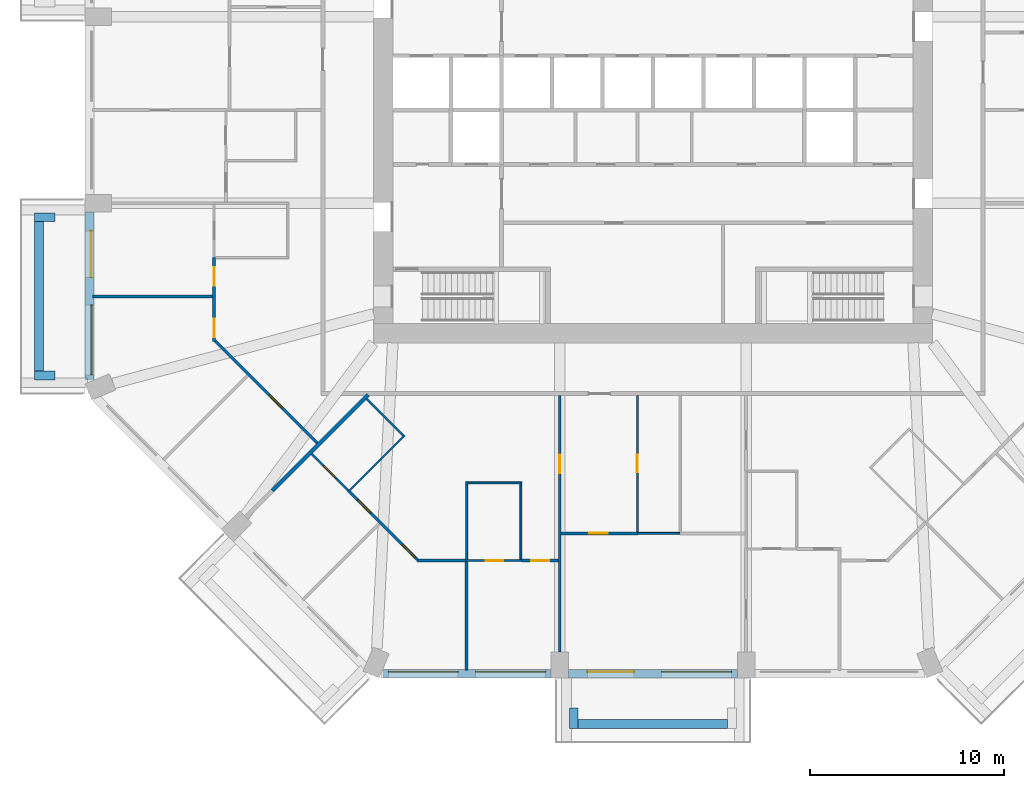
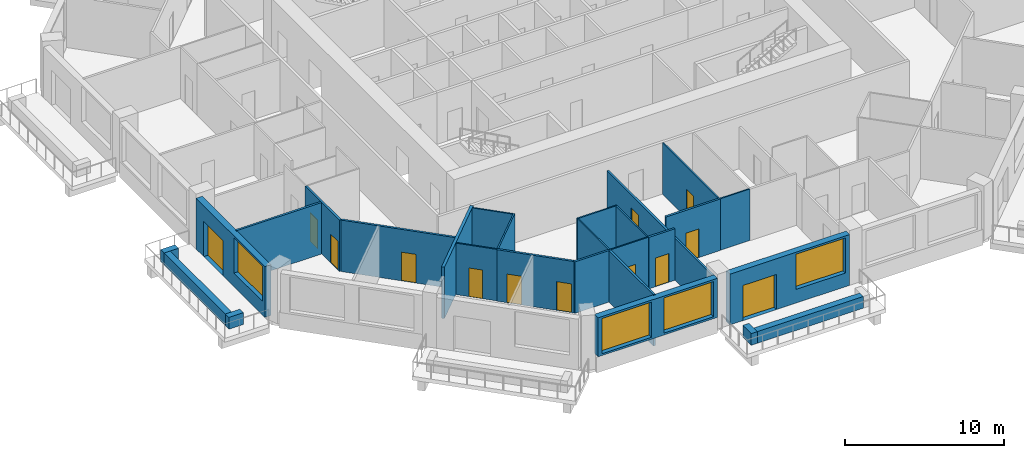
# One storey, part 3 of 13: 27 walls, 13 doors, 4 windows, 17 openings.
"""IFC4 building model written with IfcOpenShell, lengths in metres."""

from ifc_helpers import new_model, si_unit, direction, frame, frame_2d, origin, place, context, subcontext, project, spatial, rectangle, extrude, material, layer, layer_set, type_object, element, fill, save


model = new_model("IFC4")

# Units and contexts
model_context = context("Model", 3, precision=1e-05, world=origin(), true_north=direction((0.0, 1.0)))
body_context = subcontext(model_context, "Body", "Model", "MODEL_VIEW")
ifc_project = project(units=[si_unit("LENGTHUNIT", "METRE"), si_unit("AREAUNIT", "SQUARE_METRE"), si_unit("VOLUMEUNIT", "CUBIC_METRE"), si_unit("PLANEANGLEUNIT", "RADIAN"), si_unit("MASSUNIT", "GRAM", prefix="KILO")], contexts=[model_context])

# Site, building, storey
site_placement = place(None, origin())
site = spatial("IfcSite", under=ifc_project, at=site_placement, CompositionType="ELEMENT")
building_placement = place(site_placement, origin())
building = spatial("IfcBuilding", under=site, at=building_placement, Name="Msitu Wima Residences", CompositionType="ELEMENT")
storey_placement = place(building_placement, frame((0.0, 0.0, 67.5)))
storey = spatial("IfcBuildingStorey", under=building, at=storey_placement, Name="L15", CompositionType="ELEMENT", Elevation=67.5)

# Walls
ifc_material_1 = material(Name="Facing brick")
ifc_layer_1 = layer(ifc_material_1, 0.06494140625, Name="Facing brick")
ifc_material_2 = material(Name="Concrete C40/50", Category="concrete")
ifc_layer_2 = layer(ifc_material_2, 0.156005859375, Name="Concrete C40/50")
ifc_material_3 = material(Name="Waterproofing membrane")
ifc_layer_3 = layer(ifc_material_3, 0.00390625, Name="Waterproofing membrane")
ifc_material_4 = material(Name="Planting soil and planting")
ifc_layer_4 = layer(ifc_material_4, 0.22509765625, Name="Planting soil and planting")
ifc_layer_set_1 = layer_set([ifc_layer_1, ifc_layer_2, ifc_layer_3, ifc_layer_4], Name="Concrete C40/50")
wall_type_1 = type_object("IfcWallType", Name="Balcony planter PLANTER PL450", PredefinedType="USERDEFINED", material=ifc_layer_set_1)
wall_1_placement = place(storey_placement, frame((-31.625, -5.75, 0.0), z_axis=(0.0, 0.0, 1.0), x_axis=(0.0, -1.0, 0.0)))
element("IfcWall", 1, at=wall_1_placement, inside=storey, type_object=wall_type_1, Name="Balcony planter W2 L15", ObjectType="PLANTER", PredefinedType="USERDEFINED", context=body_context, shape_type="SweptSolid", body=[
    extrude(rectangle(XDim=7.699951171875, YDim=0.449951171875, at=frame_2d((3.85009765625, 0.0))), origin(), (0.0, 0.0, 1.0), 0.89990234375),
])
for number, where, z_axis, x_axis, name in (
    (2, (-30.800048828125, -5.52490234375, 0.0), (0.0, 0.0, 1.0), (-1.0, 0.0, 0.0), "Balcony planter W2 L15"),
    (3, (-30.800048828125, -13.675048828125, 0.0), (0.0, 0.0, 1.0), (-1.0, 0.0, 0.0), "Balcony planter W2 L15"),
):
    element("IfcWall", number, at=place(storey_placement, frame(where, z_axis=z_axis, x_axis=x_axis)), inside=storey, type_object=wall_type_1, Name=name, ObjectType="PLANTER", PredefinedType="USERDEFINED", context=body_context, shape_type="SweptSolid", body=[
        extrude(rectangle(XDim=1.050048828125, YDim=0.449951171875, at=frame_2d((0.52490234375, 0.0))), origin(), (0.0, 0.0, 1.0), 0.89990234375),
    ])
wall_2_placement = place(storey_placement, frame((-3.85009765625, -31.625, 0.0), z_axis=(0.0, 0.0, 1.0), x_axis=(1.0, 0.0, 0.0)))
element("IfcWall", 4, at=wall_2_placement, inside=storey, type_object=wall_type_1, Name="Balcony planter S1 L15", ObjectType="PLANTER", PredefinedType="USERDEFINED", context=body_context, shape_type="SweptSolid", body=[
    extrude(rectangle(XDim=7.7001953125, YDim=0.449951171875, at=frame_2d((3.85009765625, 0.0))), origin(), (0.0, 0.0, 1.0), 0.89990234375),
])
wall_3_placement = place(storey_placement, frame((-4.074951171875, -30.800048828125, 0.0), z_axis=(0.0, 0.0, 1.0), x_axis=(0.0, -1.0, 0.0)))
element("IfcWall", 5, at=wall_3_placement, inside=storey, type_object=wall_type_1, Name="Balcony planter S1 L15", ObjectType="PLANTER", PredefinedType="USERDEFINED", context=body_context, shape_type="SweptSolid", body=[
    extrude(rectangle(XDim=1.050048828125, YDim=0.449951171875, at=frame_2d((0.52490234375, 0.0))), origin(), (0.0, 0.0, 1.0), 0.89990234375),
])

# Wall, openings, door, window
ifc_material_5 = material(Name="Brick (red buff mix)", Category="masonry")
ifc_layer_5 = layer(ifc_material_5, 0.449951171875)
ifc_layer_set_2 = layer_set([ifc_layer_5], Name="Brick (red buff mix)")
wall_type_2 = type_object("IfcWallType", Name="Brick infill wall BW450", PredefinedType="SOLIDWALL", material=ifc_layer_set_2)
wall_4_placement = place(storey_placement, frame((-29.02490234375, -5.25, 0.0), z_axis=(0.0, 0.0, 1.0), x_axis=(0.0, -1.0, 0.0)))
wall_4 = element("IfcWall", 6, at=wall_4_placement, inside=storey, type_object=wall_type_2, Name="Brick infill wall L15 W2", PredefinedType="SOLIDWALL", context=body_context, shape_type="SweptSolid", body=[
    extrude(rectangle(XDim=8.662841796875, YDim=0.449951171875, at=frame_2d((4.33154296875, 0.0))), origin(), (0.0, 0.0, 1.0), 3.89990234375),
])
opening_1_placement = place(wall_4_placement, frame((0.9658203125, 0.0, 0.0)))
opening_1 = element("IfcOpeningElement", 7, at=opening_1_placement, cuts=wall_4, Name="Opening D13-15.010", PredefinedType="OPENING", context=body_context, shape_type="SweptSolid", body=[
    extrude(rectangle(XDim=2.39990234375, YDim=2.699951171875, at=frame_2d((1.199951171875, 1.35009765625))), frame((0.0, 0.23486328125, 0.0), z_axis=(0.0, -1.0, 0.0), x_axis=(1.0, 0.0, 0.0)), (0.0, 0.0, 1.0), 0.469970703125),
])
opening_2_placement = place(wall_4_placement, frame((4.781494140625, 0.0, 1.050048828125)))
opening_2 = element("IfcOpeningElement", 8, at=opening_2_placement, cuts=wall_4, Name="Opening W13-15.030", PredefinedType="OPENING", context=body_context, shape_type="SweptSolid", body=[
    extrude(rectangle(XDim=3.60009765625, YDim=2.699951171875, at=frame_2d((1.800048828125, 1.35009765625))), frame((0.0, 0.23486328125, 0.0), z_axis=(0.0, -1.0, 0.0), x_axis=(1.0, 0.0, 0.0)), (0.0, 0.0, 1.0), 0.469970703125),
])
ifc_material_6 = material(Name="Anodised aluminium, bronze finish, clear low-emissivity double glazing", Category="aluminium")
door_type_1 = type_object("IfcDoorType", Name="Balcony door D2400x2700", OperationType="SLIDING_TO_LEFT", PredefinedType="DOOR", material=ifc_material_6)
door_1_placement = place(opening_1_placement, origin())
door_1 = element("IfcDoor", 9, at=door_1_placement, inside=storey, type_object=door_type_1, Name="Balcony door L15 W2", OperationType="SINGLE_SWING_LEFT", OverallHeight=2.699951171875, OverallWidth=2.39990234375, PredefinedType="DOOR", context=body_context, shape_type="SweptSolid", body=[
    extrude(rectangle(XDim=2.39990234375, YDim=2.699951171875, at=frame_2d((1.199951171875, 1.35009765625))), frame((0.0, 0.1298828125, 0.0), z_axis=(0.0, -1.0, 0.0), x_axis=(1.0, 0.0, 0.0)), (0.0, 0.0, 1.0), 0.050048828125),
])
fill(opening_1, door_1)
window_type = type_object("IfcWindowType", Name="Window W3600x2700", PartitioningType="DOUBLE_PANEL_VERTICAL", PredefinedType="WINDOW", material=ifc_material_6)
window_1_placement = place(opening_2_placement, origin())
window_1 = element("IfcWindow", 10, at=window_1_placement, inside=storey, type_object=window_type, Name="Window L15 W2.2", OverallHeight=2.699951171875, OverallWidth=3.60009765625, PartitioningType="SINGLE_PANEL", PredefinedType="WINDOW", context=body_context, shape_type="SweptSolid", body=[
    extrude(rectangle(XDim=3.60009765625, YDim=2.699951171875, at=frame_2d((1.800048828125, 1.35009765625))), frame((0.0, 0.135009765625, 0.0), z_axis=(0.0, -1.0, 0.0), x_axis=(1.0, 0.0, 0.0)), (0.0, 0.0, 1.0), 0.06005859375),
])
fill(opening_2, window_1)

# Wall, openings, windows
wall_5_placement = place(storey_placement, frame((-13.912841796875, -29.02490234375, 0.89990234375), z_axis=(0.0, 0.0, 1.0), x_axis=(1.0, 0.0, 0.0)))
wall_5 = element("IfcWall", 11, at=wall_5_placement, inside=storey, type_object=wall_type_2, Name="Brick infill wall L15 S0", PredefinedType="SOLIDWALL", context=body_context, shape_type="SweptSolid", body=[
    extrude(rectangle(XDim=8.662841796875, YDim=0.449951171875, at=frame_2d((4.33154296875, 0.0))), origin(), (0.0, 0.0, 1.0), 3.0),
])
opening_3_placement = place(wall_5_placement, frame((0.281494140625, 0.0, 0.14990234375)))
opening_3 = element("IfcOpeningElement", 12, at=opening_3_placement, cuts=wall_5, Name="Opening W13-15.016", PredefinedType="OPENING", context=body_context, shape_type="SweptSolid", body=[
    extrude(rectangle(XDim=3.60009765625, YDim=2.699951171875, at=frame_2d((1.800048828125, 1.35009765625))), frame((0.0, 0.23486328125, 0.0), z_axis=(0.0, -1.0, 0.0), x_axis=(1.0, 0.0, 0.0)), (0.0, 0.0, 1.0), 0.469970703125),
])
opening_4_placement = place(wall_5_placement, frame((4.781494140625, 0.0, 0.14990234375)))
opening_4 = element("IfcOpeningElement", 13, at=opening_4_placement, cuts=wall_5, Name="Opening W13-15.017", PredefinedType="OPENING", context=body_context, shape_type="SweptSolid", body=[
    extrude(rectangle(XDim=3.60009765625, YDim=2.699951171875, at=frame_2d((1.800048828125, 1.35009765625))), frame((0.0, 0.23486328125, 0.0), z_axis=(0.0, -1.0, 0.0), x_axis=(1.0, 0.0, 0.0)), (0.0, 0.0, 1.0), 0.469970703125),
])
window_2_placement = place(opening_3_placement, origin())
window_2 = element("IfcWindow", 14, at=window_2_placement, inside=storey, type_object=window_type, Name="Window L15 S0.1", OverallHeight=2.699951171875, OverallWidth=3.60009765625, PartitioningType="SINGLE_PANEL", PredefinedType="WINDOW", context=body_context, shape_type="SweptSolid", body=[
    extrude(rectangle(XDim=3.60009765625, YDim=2.699951171875, at=frame_2d((1.800048828125, 1.35009765625))), frame((0.0, 0.135009765625, 0.0), z_axis=(0.0, -1.0, 0.0), x_axis=(1.0, 0.0, 0.0)), (0.0, 0.0, 1.0), 0.06005859375),
])
fill(opening_3, window_2)
window_3_placement = place(opening_4_placement, origin())
window_3 = element("IfcWindow", 15, at=window_3_placement, inside=storey, type_object=window_type, Name="Window L15 S0.2", OverallHeight=2.699951171875, OverallWidth=3.60009765625, PartitioningType="SINGLE_PANEL", PredefinedType="WINDOW", context=body_context, shape_type="SweptSolid", body=[
    extrude(rectangle(XDim=3.60009765625, YDim=2.699951171875, at=frame_2d((1.800048828125, 1.35009765625))), frame((0.0, 0.135009765625, 0.0), z_axis=(0.0, -1.0, 0.0), x_axis=(1.0, 0.0, 0.0)), (0.0, 0.0, 1.0), 0.06005859375),
])
fill(opening_4, window_3)

# Wall, openings, door, window
wall_6_placement = place(storey_placement, frame((-4.35009765625, -29.02490234375, 0.0), z_axis=(0.0, 0.0, 1.0), x_axis=(1.0, 0.0, 0.0)))
wall_6 = element("IfcWall", 16, at=wall_6_placement, inside=storey, type_object=wall_type_2, Name="Brick infill wall L15 S1", PredefinedType="SOLIDWALL", context=body_context, shape_type="SweptSolid", body=[
    extrude(rectangle(XDim=8.7001953125, YDim=0.449951171875, at=frame_2d((4.35009765625, 0.0))), origin(), (0.0, 0.0, 1.0), 3.89990234375),
])
opening_5_placement = place(wall_6_placement, frame((0.97509765625, 0.0, 0.0)))
opening_5 = element("IfcOpeningElement", 17, at=opening_5_placement, cuts=wall_6, Name="Opening D13-15.006", PredefinedType="OPENING", context=body_context, shape_type="SweptSolid", body=[
    extrude(rectangle(XDim=2.39990234375, YDim=2.699951171875, at=frame_2d((1.199951171875, 1.35009765625))), frame((0.0, 0.23486328125, 0.0), z_axis=(0.0, -1.0, 0.0), x_axis=(1.0, 0.0, 0.0)), (0.0, 0.0, 1.0), 0.469970703125),
])
opening_6_placement = place(wall_6_placement, frame((4.800048828125, 0.0, 1.050048828125)))
opening_6 = element("IfcOpeningElement", 18, at=opening_6_placement, cuts=wall_6, Name="Opening W13-15.018", PredefinedType="OPENING", context=body_context, shape_type="SweptSolid", body=[
    extrude(rectangle(XDim=3.60009765625, YDim=2.699951171875, at=frame_2d((1.800048828125, 1.35009765625))), frame((0.0, 0.23486328125, 0.0), z_axis=(0.0, -1.0, 0.0), x_axis=(1.0, 0.0, 0.0)), (0.0, 0.0, 1.0), 0.469970703125),
])
door_2_placement = place(opening_5_placement, origin())
door_2 = element("IfcDoor", 19, at=door_2_placement, inside=storey, type_object=door_type_1, Name="Balcony door L15 S1", OperationType="SINGLE_SWING_LEFT", OverallHeight=2.699951171875, OverallWidth=2.39990234375, PredefinedType="DOOR", context=body_context, shape_type="SweptSolid", body=[
    extrude(rectangle(XDim=2.39990234375, YDim=2.699951171875, at=frame_2d((1.199951171875, 1.35009765625))), frame((0.0, 0.1298828125, 0.0), z_axis=(0.0, -1.0, 0.0), x_axis=(1.0, 0.0, 0.0)), (0.0, 0.0, 1.0), 0.050048828125),
])
fill(opening_5, door_2)
window_4_placement = place(opening_6_placement, origin())
window_4 = element("IfcWindow", 20, at=window_4_placement, inside=storey, type_object=window_type, Name="Window L15 S1.2", OverallHeight=2.699951171875, OverallWidth=3.60009765625, PartitioningType="SINGLE_PANEL", PredefinedType="WINDOW", context=body_context, shape_type="SweptSolid", body=[
    extrude(rectangle(XDim=3.60009765625, YDim=2.699951171875, at=frame_2d((1.800048828125, 1.35009765625))), frame((0.0, 0.135009765625, 0.0), z_axis=(0.0, -1.0, 0.0), x_axis=(1.0, 0.0, 0.0)), (0.0, 0.0, 1.0), 0.06005859375),
])
fill(opening_6, window_4)

# Wall
ifc_material_7 = material(Name="Plaster")
ifc_layer_6 = layer(ifc_material_7, 0.011962890625, Name="Plaster")
ifc_material_8 = material(Name="Concrete blockwork", Category="masonry")
ifc_layer_7 = layer(ifc_material_8, 0.1259765625, Name="Concrete blockwork")
ifc_layer_8 = layer(ifc_material_7, 0.011962890625, Name="Plaster")
ifc_layer_set_3 = layer_set([ifc_layer_6, ifc_layer_7, ifc_layer_8], Name="Concrete blockwork")
wall_type_3 = type_object("IfcWallType", Name="Partition PW150", PredefinedType="PARTITIONING", material=ifc_layer_set_3)
wall_7_placement = place(storey_placement, frame((-28.85498046875, -9.60009765625, 0.0), z_axis=(0.0, 0.0, 1.0), x_axis=(1.0, 0.0, 0.0)))
element("IfcWall", 21, at=wall_7_placement, inside=storey, type_object=wall_type_3, Name="Partition", PredefinedType="PARTITIONING", context=body_context, shape_type="SweptSolid", body=[
    extrude(rectangle(XDim=6.179931640625, YDim=0.14990234375, at=frame_2d((3.08984375, 0.0))), origin(), (0.0, 0.0, 1.0), 3.949951171875),
])

# Wall, openings, doors
wall_8_placement = place(storey_placement, frame((-22.60009765625, -11.906982421875, 0.0), z_axis=(0.0, 0.0, 1.0), x_axis=(0.0, 1.0, 0.0)))
wall_8 = element("IfcWall", 22, at=wall_8_placement, inside=storey, type_object=wall_type_3, Name="Partition", PredefinedType="PARTITIONING", context=body_context, shape_type="SweptSolid", body=[
    extrude(rectangle(XDim=4.306884765625, YDim=0.14990234375, at=frame_2d((2.1533203125, 0.0))), origin(), (0.0, 0.0, 1.0), 3.949951171875),
])
opening_7_placement = place(wall_8_placement, frame((2.85009765625, 0.0, 0.0)))
opening_7 = element("IfcOpeningElement", 23, at=opening_7_placement, cuts=wall_8, Name="Opening D13-15.052", PredefinedType="OPENING", context=body_context, shape_type="SweptSolid", body=[
    extrude(rectangle(XDim=0.949951171875, YDim=2.199951171875, at=frame_2d((0.47509765625, 1.10009765625))), frame((0.0, 0.0849609375, 0.0), z_axis=(0.0, -1.0, 0.0), x_axis=(1.0, 0.0, 0.0)), (0.0, 0.0, 1.0), 0.169921875),
])
opening_8_placement = place(wall_8_placement, frame((0.199951171875, 0.0, 0.0)))
opening_8 = element("IfcOpeningElement", 24, at=opening_8_placement, cuts=wall_8, Name="Opening D13-15.055", PredefinedType="OPENING", context=body_context, shape_type="SweptSolid", body=[
    extrude(rectangle(XDim=0.949951171875, YDim=2.199951171875, at=frame_2d((0.47509765625, 1.10009765625))), frame((0.0, 0.0849609375, 0.0), z_axis=(0.0, -1.0, 0.0), x_axis=(1.0, 0.0, 0.0)), (0.0, 0.0, 1.0), 0.169921875),
])
ifc_material_9 = material(Name="Timber flush door", Category="wood")
door_type_2 = type_object("IfcDoorType", Name="Room door D12 950x2200", OperationType="SINGLE_SWING_LEFT", PredefinedType="DOOR", material=ifc_material_9)
door_3_placement = place(opening_7_placement, origin())
door_3 = element("IfcDoor", 25, at=door_3_placement, inside=storey, type_object=door_type_2, Name="Room door", OperationType="SINGLE_SWING_LEFT", OverallHeight=2.199951171875, OverallWidth=0.949951171875, PredefinedType="DOOR", context=body_context, shape_type="SweptSolid", body=[
    extrude(rectangle(XDim=0.949951171875, YDim=2.199951171875, at=frame_2d((0.47509765625, 1.10009765625))), frame((0.0, 0.02490234375, 0.0), z_axis=(0.0, -1.0, 0.0), x_axis=(1.0, 0.0, 0.0)), (0.0, 0.0, 1.0), 0.050048828125),
])
fill(opening_7, door_3)
door_4_placement = place(opening_8_placement, origin())
door_4 = element("IfcDoor", 26, at=door_4_placement, inside=storey, type_object=door_type_2, Name="Room door", OperationType="SINGLE_SWING_RIGHT", OverallHeight=2.199951171875, OverallWidth=0.949951171875, PredefinedType="DOOR", context=body_context, shape_type="SweptSolid", body=[
    extrude(rectangle(XDim=0.949951171875, YDim=2.199951171875, at=frame_2d((0.47509765625, 1.10009765625))), frame((0.0, 0.02490234375, 0.0), z_axis=(0.0, -1.0, 0.0), x_axis=(1.0, 0.0, 0.0)), (0.0, 0.0, 1.0), 0.050048828125),
])
fill(opening_8, door_4)

# Wall, opening, door
wall_9_placement = place(storey_placement, frame((-22.546875, -11.885009765625, 0.0), z_axis=(0.0, 0.0, 1.0), x_axis=(0.707106781187, -0.707106781187, 0.0)))
wall_9 = element("IfcWall", 27, at=wall_9_placement, inside=storey, type_object=wall_type_3, Name="Partition", PredefinedType="PARTITIONING", context=body_context, shape_type="SweptSolid", body=[
    extrude(rectangle(XDim=7.439208984375, YDim=0.14990234375, at=frame_2d((3.7197265625, 0.0))), origin(), (0.0, 0.0, 1.0), 3.949951171875),
])
opening_9_placement = place(wall_9_placement, frame((3.949951171875, 0.0, 0.0)))
opening_9 = element("IfcOpeningElement", 28, at=opening_9_placement, cuts=wall_9, Name="Opening D13-15.054", PredefinedType="OPENING", context=body_context, shape_type="SweptSolid", body=[
    extrude(rectangle(XDim=0.949951171875, YDim=2.199951171875, at=frame_2d((0.47509765625, 1.10009765625))), frame((0.0, 0.0849609375, 0.0), z_axis=(0.0, -1.0, 0.0), x_axis=(1.0, 0.0, 0.0)), (0.0, 0.0, 1.0), 0.169921875),
])
door_5_placement = place(opening_9_placement, origin())
door_5 = element("IfcDoor", 29, at=door_5_placement, inside=storey, type_object=door_type_2, Name="Room door", OperationType="SINGLE_SWING_RIGHT", OverallHeight=2.199951171875, OverallWidth=0.949951171875, PredefinedType="DOOR", context=body_context, shape_type="SweptSolid", body=[
    extrude(rectangle(XDim=0.949951171875, YDim=2.199951171875, at=frame_2d((0.47509765625, 1.10009765625))), frame((0.0, 0.02490234375, 0.0), z_axis=(0.0, -1.0, 0.0), x_axis=(1.0, 0.0, 0.0)), (0.0, 0.0, 1.0), 0.050048828125),
])
fill(opening_9, door_5)

# Wall, openings, doors
wall_10_placement = place(storey_placement, frame((-15.674560546875, -19.60595703125, 0.0), z_axis=(0.0, 0.0, 1.0), x_axis=(0.707106781187, -0.707106781187, 0.0)))
wall_10 = element("IfcWall", 30, at=wall_10_placement, inside=storey, type_object=wall_type_3, Name="Partition", PredefinedType="PARTITIONING", context=body_context, shape_type="SweptSolid", body=[
    extrude(rectangle(XDim=5.0078125, YDim=0.14990234375, at=frame_2d((2.50390625, 0.0))), origin(), (0.0, 0.0, 1.0), 3.949951171875),
])
opening_10_placement = place(wall_10_placement, frame((0.64990234375, 0.0, 0.0)))
opening_10 = element("IfcOpeningElement", 31, at=opening_10_placement, cuts=wall_10, Name="Opening D13-15.068", PredefinedType="OPENING", context=body_context, shape_type="SweptSolid", body=[
    extrude(rectangle(XDim=0.949951171875, YDim=2.199951171875, at=frame_2d((0.47509765625, 1.10009765625))), frame((0.0, 0.0849609375, 0.0), z_axis=(0.0, -1.0, 0.0), x_axis=(1.0, 0.0, 0.0)), (0.0, 0.0, 1.0), 0.169921875),
])
opening_11_placement = place(wall_10_placement, frame((3.89990234375, 0.0, 0.0)))
opening_11 = element("IfcOpeningElement", 32, at=opening_11_placement, cuts=wall_10, Name="Opening D13-15.073", PredefinedType="OPENING", context=body_context, shape_type="SweptSolid", body=[
    extrude(rectangle(XDim=0.949951171875, YDim=2.199951171875, at=frame_2d((0.47509765625, 1.10009765625))), frame((0.0, 0.0849609375, 0.0), z_axis=(0.0, -1.0, 0.0), x_axis=(1.0, 0.0, 0.0)), (0.0, 0.0, 1.0), 0.169921875),
])
door_6_placement = place(opening_10_placement, origin())
door_6 = element("IfcDoor", 33, at=door_6_placement, inside=storey, type_object=door_type_2, Name="Room door", OperationType="SINGLE_SWING_LEFT", OverallHeight=2.199951171875, OverallWidth=0.949951171875, PredefinedType="DOOR", context=body_context, shape_type="SweptSolid", body=[
    extrude(rectangle(XDim=0.949951171875, YDim=2.199951171875, at=frame_2d((0.47509765625, 1.10009765625))), frame((0.0, 0.02490234375, 0.0), z_axis=(0.0, -1.0, 0.0), x_axis=(1.0, 0.0, 0.0)), (0.0, 0.0, 1.0), 0.050048828125),
])
fill(opening_10, door_6)
door_7_placement = place(opening_11_placement, origin())
door_7 = element("IfcDoor", 34, at=door_7_placement, inside=storey, type_object=door_type_2, Name="Room door", OperationType="SINGLE_SWING_RIGHT", OverallHeight=2.199951171875, OverallWidth=0.949951171875, PredefinedType="DOOR", context=body_context, shape_type="SweptSolid", body=[
    extrude(rectangle(XDim=0.949951171875, YDim=2.199951171875, at=frame_2d((0.47509765625, 1.10009765625))), frame((0.0, 0.02490234375, 0.0), z_axis=(0.0, -1.0, 0.0), x_axis=(1.0, 0.0, 0.0)), (0.0, 0.0, 1.0), 0.050048828125),
])
fill(opening_11, door_7)

# Walls
wall_11_placement = place(storey_placement, frame((-12.155517578125, -23.199951171875, 0.0), z_axis=(0.0, 0.0, 1.0), x_axis=(1.0, 0.0, 0.0)))
element("IfcWall", 35, at=wall_11_placement, inside=storey, type_object=wall_type_3, Name="Partition", PredefinedType="PARTITIONING", context=body_context, shape_type="SweptSolid", body=[
    extrude(rectangle(XDim=2.535400390625, YDim=0.14990234375, at=frame_2d((1.267578125, 0.0))), origin(), (0.0, 0.0, 1.0), 3.949951171875),
])
wall_12_placement = place(storey_placement, frame((-9.60009765625, -28.85498046875, 0.0), z_axis=(0.0, 0.0, 1.0), x_axis=(0.0, 1.0, 0.0)))
element("IfcWall", 36, at=wall_12_placement, inside=storey, type_object=wall_type_3, Name="Partition", PredefinedType="PARTITIONING", context=body_context, shape_type="SweptSolid", body=[
    extrude(rectangle(XDim=5.675048828125, YDim=0.14990234375, at=frame_2d((2.83740234375, 0.0))), origin(), (0.0, 0.0, 1.0), 3.949951171875),
])

# Wall, opening, door
wall_13_placement = place(storey_placement, frame((-6.780029296875, -23.199951171875, 0.0), z_axis=(0.0, 0.0, 1.0), x_axis=(1.0, 0.0, 0.0)))
wall_13 = element("IfcWall", 37, at=wall_13_placement, inside=storey, type_object=wall_type_3, Name="Partition", PredefinedType="PARTITIONING", context=body_context, shape_type="SweptSolid", body=[
    extrude(rectangle(XDim=1.905029296875, YDim=0.14990234375, at=frame_2d((0.95263671875, 0.0))), origin(), (0.0, 0.0, 1.0), 3.949951171875),
])
opening_12_placement = place(wall_13_placement, frame((0.5, 0.0, 0.0)))
opening_12 = element("IfcOpeningElement", 38, at=opening_12_placement, cuts=wall_13, Name="Opening D13-15.070", PredefinedType="OPENING", context=body_context, shape_type="SweptSolid", body=[
    extrude(rectangle(XDim=0.949951171875, YDim=2.199951171875, at=frame_2d((0.47509765625, 1.10009765625))), frame((0.0, 0.0849609375, 0.0), z_axis=(0.0, -1.0, 0.0), x_axis=(1.0, 0.0, 0.0)), (0.0, 0.0, 1.0), 0.169921875),
])
door_8_placement = place(opening_12_placement, origin())
door_8 = element("IfcDoor", 39, at=door_8_placement, inside=storey, type_object=door_type_2, Name="Room door", OperationType="SINGLE_SWING_LEFT", OverallHeight=2.199951171875, OverallWidth=0.949951171875, PredefinedType="DOOR", context=body_context, shape_type="SweptSolid", body=[
    extrude(rectangle(XDim=0.949951171875, YDim=2.199951171875, at=frame_2d((0.47509765625, 1.10009765625))), frame((0.0, 0.02490234375, 0.0), z_axis=(0.0, -1.0, 0.0), x_axis=(1.0, 0.0, 0.0)), (0.0, 0.0, 1.0), 0.050048828125),
])
fill(opening_12, door_8)

wall_14_placement = place(storey_placement, frame((-4.800048828125, -27.89990234375, 0.0), z_axis=(0.0, 0.0, 1.0), x_axis=(0.0, 1.0, 0.0)))
wall_14 = element("IfcWall", 40, at=wall_14_placement, inside=storey, type_object=wall_type_3, Name="Partition", PredefinedType="PARTITIONING", context=body_context, shape_type="SweptSolid", body=[
    extrude(rectangle(XDim=13.199951171875, YDim=0.14990234375, at=frame_2d((6.60009765625, 0.0))), origin(), (0.0, 0.0, 1.0), 3.199951171875),
])
opening_13_placement = place(wall_14_placement, frame((9.199951171875, 0.0, 0.0)))
opening_13 = element("IfcOpeningElement", 41, at=opening_13_placement, cuts=wall_14, Name="Opening D13-15.065", PredefinedType="OPENING", context=body_context, shape_type="SweptSolid", body=[
    extrude(rectangle(XDim=0.949951171875, YDim=2.199951171875, at=frame_2d((0.47509765625, 1.10009765625))), frame((0.0, 0.0849609375, 0.0), z_axis=(0.0, -1.0, 0.0), x_axis=(1.0, 0.0, 0.0)), (0.0, 0.0, 1.0), 0.169921875),
])
door_9_placement = place(opening_13_placement, origin())
door_9 = element("IfcDoor", 42, at=door_9_placement, inside=storey, type_object=door_type_2, Name="Room door", OperationType="SINGLE_SWING_RIGHT", OverallHeight=2.199951171875, OverallWidth=0.949951171875, PredefinedType="DOOR", context=body_context, shape_type="SweptSolid", body=[
    extrude(rectangle(XDim=0.949951171875, YDim=2.199951171875, at=frame_2d((0.47509765625, 1.10009765625))), frame((0.0, 0.02490234375, 0.0), z_axis=(0.0, -1.0, 0.0), x_axis=(1.0, 0.0, 0.0)), (0.0, 0.0, 1.0), 0.050048828125),
])
fill(opening_13, door_9)

wall_15_placement = place(storey_placement, frame((-4.72509765625, -21.800048828125, 0.0), z_axis=(0.0, 0.0, 1.0), x_axis=(1.0, 0.0, 0.0)))
wall_15 = element("IfcWall", 43, at=wall_15_placement, inside=storey, type_object=wall_type_3, Name="Partition", PredefinedType="PARTITIONING", context=body_context, shape_type="SweptSolid", body=[
    extrude(rectangle(XDim=3.945068359375, YDim=0.14990234375, at=frame_2d((1.97265625, 0.0))), origin(), (0.0, 0.0, 1.0), 3.949951171875),
])
opening_14_placement = place(wall_15_placement, frame((1.449951171875, 0.0, 0.0)))
opening_14 = element("IfcOpeningElement", 44, at=opening_14_placement, cuts=wall_15, Name="Opening D13-15.066", PredefinedType="OPENING", context=body_context, shape_type="SweptSolid", body=[
    extrude(rectangle(XDim=0.949951171875, YDim=2.199951171875, at=frame_2d((0.47509765625, 1.10009765625))), frame((0.0, 0.0849609375, 0.0), z_axis=(0.0, -1.0, 0.0), x_axis=(1.0, 0.0, 0.0)), (0.0, 0.0, 1.0), 0.169921875),
])
door_10_placement = place(opening_14_placement, origin())
door_10 = element("IfcDoor", 45, at=door_10_placement, inside=storey, type_object=door_type_2, Name="Room door", OperationType="SINGLE_SWING_RIGHT", OverallHeight=2.199951171875, OverallWidth=0.949951171875, PredefinedType="DOOR", context=body_context, shape_type="SweptSolid", body=[
    extrude(rectangle(XDim=0.949951171875, YDim=2.199951171875, at=frame_2d((0.47509765625, 1.10009765625))), frame((0.0, 0.02490234375, 0.0), z_axis=(0.0, -1.0, 0.0), x_axis=(1.0, 0.0, 0.0)), (0.0, 0.0, 1.0), 0.050048828125),
])
fill(opening_14, door_10)

# Wall
ifc_layer_9 = layer(ifc_material_7, 0.011962890625, Name="Plaster")
ifc_material_10 = material(Name="Dense concrete blockwork", Category="masonry")
ifc_layer_10 = layer(ifc_material_10, 0.176025390625, Name="Dense concrete blockwork")
ifc_layer_11 = layer(ifc_material_7, 0.011962890625, Name="Plaster")
ifc_layer_set_4 = layer_set([ifc_layer_9, ifc_layer_10, ifc_layer_11], Name="Dense concrete blockwork")
wall_type_4 = type_object("IfcWallType", Name="Party wall PW200", PredefinedType="PARTITIONING", material=ifc_layer_set_4)
wall_16_placement = place(storey_placement, frame((-19.605712890625, -19.605712890625, 0.0), z_axis=(0.0, 0.0, 1.0), x_axis=(0.707106781187, 0.707106781187, 0.0)))
element("IfcWall", 46, at=wall_16_placement, inside=storey, type_object=wall_type_4, Name="Party wall", PredefinedType="PARTITIONING", context=body_context, shape_type="SweptSolid", body=[
    extrude(rectangle(XDim=6.979248046875, YDim=0.199951171875, at=frame_2d((3.48974609375, 0.0))), origin(), (0.0, 0.0, 1.0), 3.949951171875),
])

# Wall, opening, door
ifc_material_11 = material(Name="Ceramic tiles")
ifc_layer_12 = layer(ifc_material_11, 0.008056640625, Name="Ceramic tiles")
ifc_material_12 = material(Name="Moisture-resistant board")
ifc_layer_13 = layer(ifc_material_12, 0.012451171875, Name="Moisture-resistant board")
ifc_material_13 = material(Name="Light-gauge stud framing with mineral wool")
ifc_layer_14 = layer(ifc_material_13, 0.06689453125, Name="Light-gauge stud framing with mineral wool")
ifc_layer_15 = layer(ifc_material_12, 0.012451171875, Name="Moisture-resistant board")
ifc_layer_set_5 = layer_set([ifc_layer_12, ifc_layer_13, ifc_layer_14, ifc_layer_15], Name="Light-gauge stud framing with mineral wool")
wall_type_5 = type_object("IfcWallType", Name="Wet wall PW100", PredefinedType="PARTITIONING", material=ifc_layer_set_5)
wall_17_placement = place(storey_placement, frame((-17.569580078125, -17.7109375, 0.0), z_axis=(0.0, 0.0, 1.0), x_axis=(0.707106781187, -0.707106781187, 0.0)))
wall_17 = element("IfcWall", 47, at=wall_17_placement, inside=storey, type_object=wall_type_5, Name="Wet wall", PredefinedType="PARTITIONING", context=body_context, shape_type="SweptSolid", body=[
    extrude(rectangle(XDim=2.679931640625, YDim=0.10009765625, at=frame_2d((1.33984375, 0.0))), origin(), (0.0, 0.0, 1.0), 3.949951171875),
])
opening_15_placement = place(wall_17_placement, frame((0.85009765625, 0.0, 0.0)))
opening_15 = element("IfcOpeningElement", 48, at=opening_15_placement, cuts=wall_17, Name="Opening D13-15.069", PredefinedType="OPENING", context=body_context, shape_type="SweptSolid", body=[
    extrude(rectangle(XDim=0.89990234375, YDim=2.199951171875, at=frame_2d((0.449951171875, 1.10009765625))), frame((0.0, 0.06005859375, 0.0), z_axis=(0.0, -1.0, 0.0), x_axis=(1.0, 0.0, 0.0)), (0.0, 0.0, 1.0), 0.1201171875),
])
ifc_material_14 = material(Name="Timber flush door, moisture resistant", Category="wood")
door_type_3 = type_object("IfcDoorType", Name="Bathroom door D03 900x2200", OperationType="SINGLE_SWING_LEFT", PredefinedType="DOOR", material=ifc_material_14)
door_11_placement = place(opening_15_placement, origin())
door_11 = element("IfcDoor", 49, at=door_11_placement, inside=storey, type_object=door_type_3, Name="Bathroom door", OperationType="SINGLE_SWING_LEFT", OverallHeight=2.199951171875, OverallWidth=0.89990234375, PredefinedType="DOOR", context=body_context, shape_type="SweptSolid", body=[
    extrude(rectangle(XDim=0.89990234375, YDim=2.199951171875, at=frame_2d((0.449951171875, 1.10009765625))), frame((0.0, 0.02490234375, 0.0), z_axis=(0.0, -1.0, 0.0), x_axis=(1.0, 0.0, 0.0)), (0.0, 0.0, 1.0), 0.050048828125),
])
fill(opening_15, door_11)

# Walls
wall_18_placement = place(storey_placement, frame((-15.607177734375, -19.567138671875, 0.0), z_axis=(0.0, 0.0, 1.0), x_axis=(0.707076070127, 0.707137490912, 0.0)))
element("IfcWall", 50, at=wall_18_placement, inside=storey, type_object=wall_type_5, Name="Wet wall", PredefinedType="PARTITIONING", context=body_context, shape_type="SweptSolid", body=[
    extrude(rectangle(XDim=3.974853515625, YDim=0.10009765625, at=frame_2d((1.9873046875, 0.0))), origin(), (0.0, 0.0, 1.0), 3.949951171875),
])
wall_19_placement = place(storey_placement, frame((-14.740966796875, -14.882568359375, 0.0), z_axis=(0.0, 0.0, 1.0), x_axis=(0.707106781187, -0.707106781187, 0.0)))
element("IfcWall", 51, at=wall_19_placement, inside=storey, type_object=wall_type_5, Name="Wet wall", PredefinedType="PARTITIONING", context=body_context, shape_type="SweptSolid", body=[
    extrude(rectangle(XDim=2.64990234375, YDim=0.10009765625, at=frame_2d((1.324951171875, 0.0))), origin(), (0.0, 0.0, 1.0), 3.949951171875),
])

# Wall, opening, door
wall_20_placement = place(storey_placement, frame((-9.6201171875, -23.199951171875, 0.0), z_axis=(0.0, 0.0, 1.0), x_axis=(1.0, 0.0, 0.0)))
wall_20 = element("IfcWall", 52, at=wall_20_placement, inside=storey, type_object=wall_type_5, Name="Wet wall", PredefinedType="PARTITIONING", context=body_context, shape_type="SweptSolid", body=[
    extrude(rectangle(XDim=2.840087890625, YDim=0.10009765625, at=frame_2d((1.419921875, 0.0))), origin(), (0.0, 0.0, 1.0), 3.949951171875),
])
opening_16_placement = place(wall_20_placement, frame((1.0, 0.0, 0.0)))
opening_16 = element("IfcOpeningElement", 53, at=opening_16_placement, cuts=wall_20, Name="Opening D13-15.072", PredefinedType="OPENING", context=body_context, shape_type="SweptSolid", body=[
    extrude(rectangle(XDim=0.89990234375, YDim=2.199951171875, at=frame_2d((0.449951171875, 1.10009765625))), frame((0.0, 0.06005859375, 0.0), z_axis=(0.0, -1.0, 0.0), x_axis=(1.0, 0.0, 0.0)), (0.0, 0.0, 1.0), 0.1201171875),
])
door_12_placement = place(opening_16_placement, origin())
door_12 = element("IfcDoor", 54, at=door_12_placement, inside=storey, type_object=door_type_3, Name="Bathroom door", OperationType="SINGLE_SWING_RIGHT", OverallHeight=2.199951171875, OverallWidth=0.89990234375, PredefinedType="DOOR", context=body_context, shape_type="SweptSolid", body=[
    extrude(rectangle(XDim=0.89990234375, YDim=2.199951171875, at=frame_2d((0.449951171875, 1.10009765625))), frame((0.0, 0.02490234375, 0.0), z_axis=(0.0, -1.0, 0.0), x_axis=(1.0, 0.0, 0.0)), (0.0, 0.0, 1.0), 0.050048828125),
])
fill(opening_16, door_12)

# Walls
wall_21_placement = place(storey_placement, frame((-9.60009765625, -23.179931640625, 0.0), z_axis=(0.0, 0.0, 1.0), x_axis=(0.0, 1.0, 0.0)))
element("IfcWall", 55, at=wall_21_placement, inside=storey, type_object=wall_type_5, Name="Wet wall", PredefinedType="PARTITIONING", context=body_context, shape_type="SweptSolid", body=[
    extrude(rectangle(XDim=3.929931640625, YDim=0.10009765625, at=frame_2d((1.96484375, 0.0))), origin(), (0.0, 0.0, 1.0), 3.949951171875),
])
wall_22_placement = place(storey_placement, frame((-9.64990234375, -19.199951171875, 0.0), z_axis=(0.0, 0.0, 1.0), x_axis=(1.0, 0.0, 0.0)))
element("IfcWall", 56, at=wall_22_placement, inside=storey, type_object=wall_type_5, Name="Wet wall", PredefinedType="PARTITIONING", context=body_context, shape_type="SweptSolid", body=[
    extrude(rectangle(XDim=2.89990234375, YDim=0.10009765625, at=frame_2d((1.449951171875, 0.0))), origin(), (0.0, 0.0, 1.0), 3.949951171875),
])
wall_23_placement = place(storey_placement, frame((-6.800048828125, -23.125, 0.0), z_axis=(0.0, 0.0, 1.0), x_axis=(0.0, 1.0, 0.0)))
element("IfcWall", 57, at=wall_23_placement, inside=storey, type_object=wall_type_5, Name="Wet wall", PredefinedType="PARTITIONING", context=body_context, shape_type="SweptSolid", body=[
    extrude(rectangle(XDim=3.875, YDim=0.10009765625, at=frame_2d((1.9375, 0.0))), origin(), (0.0, 0.0, 1.0), 3.949951171875),
])
wall_24_placement = place(storey_placement, frame((-0.780029296875, -21.800048828125, 0.0), z_axis=(0.0, 0.0, 1.0), x_axis=(1.0, 0.0, 0.0)))
element("IfcWall", 58, at=wall_24_placement, inside=storey, type_object=wall_type_5, Name="Wet wall", PredefinedType="PARTITIONING", context=body_context, shape_type="SweptSolid", body=[
    extrude(rectangle(XDim=2.159912109375, YDim=0.10009765625, at=frame_2d((1.080078125, 0.0))), origin(), (0.0, 0.0, 1.0), 3.949951171875),
])

# Wall, opening, door
wall_25_placement = place(storey_placement, frame((-0.800048828125, -21.75, 0.0), z_axis=(0.0, 0.0, 1.0), x_axis=(0.0, 1.0, 0.0)))
wall_25 = element("IfcWall", 59, at=wall_25_placement, inside=storey, type_object=wall_type_5, Name="Wet wall", PredefinedType="PARTITIONING", context=body_context, shape_type="SweptSolid", body=[
    extrude(rectangle(XDim=7.050048828125, YDim=0.10009765625, at=frame_2d((3.52490234375, 0.0))), origin(), (0.0, 0.0, 1.0), 3.949951171875),
])
opening_17_placement = place(wall_25_placement, frame((3.10009765625, 0.0, 0.0)))
opening_17 = element("IfcOpeningElement", 60, at=opening_17_placement, cuts=wall_25, Name="Opening D13-15.067", PredefinedType="OPENING", context=body_context, shape_type="SweptSolid", body=[
    extrude(rectangle(XDim=0.89990234375, YDim=2.199951171875, at=frame_2d((0.449951171875, 1.10009765625))), frame((0.0, 0.06005859375, 0.0), z_axis=(0.0, -1.0, 0.0), x_axis=(1.0, 0.0, 0.0)), (0.0, 0.0, 1.0), 0.1201171875),
])
door_13_placement = place(opening_17_placement, origin())
door_13 = element("IfcDoor", 61, at=door_13_placement, inside=storey, type_object=door_type_3, Name="Bathroom door", OperationType="SINGLE_SWING_LEFT", OverallHeight=2.199951171875, OverallWidth=0.89990234375, PredefinedType="DOOR", context=body_context, shape_type="SweptSolid", body=[
    extrude(rectangle(XDim=0.89990234375, YDim=2.199951171875, at=frame_2d((0.449951171875, 1.10009765625))), frame((0.0, 0.02490234375, 0.0), z_axis=(0.0, -1.0, 0.0), x_axis=(1.0, 0.0, 0.0)), (0.0, 0.0, 1.0), 0.050048828125),
])
fill(opening_17, door_13)

save(model, "model.ifc")
